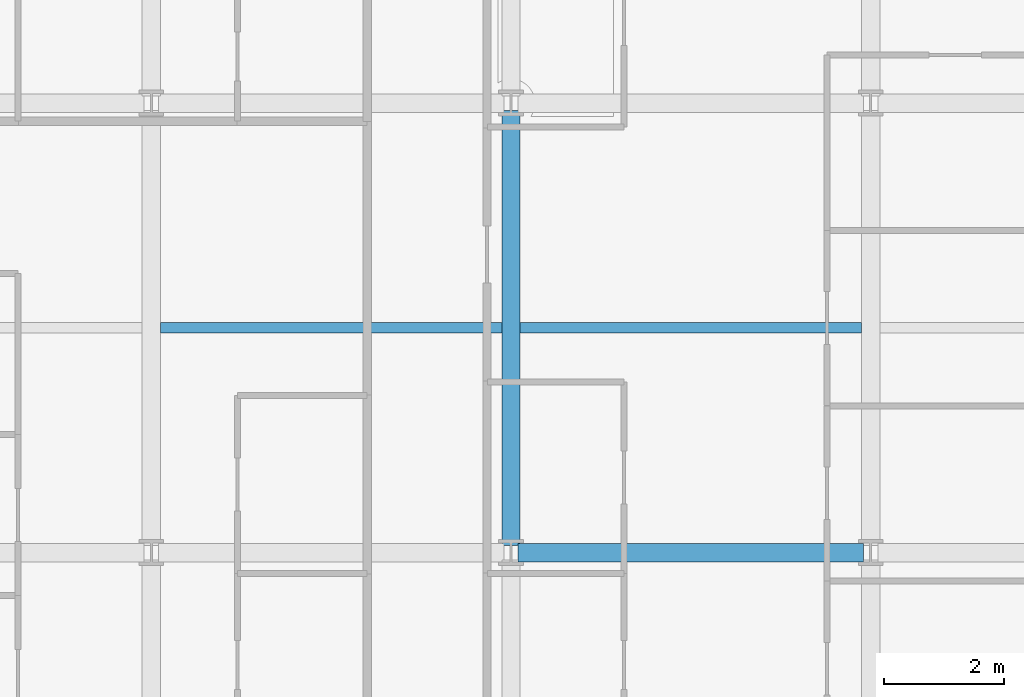
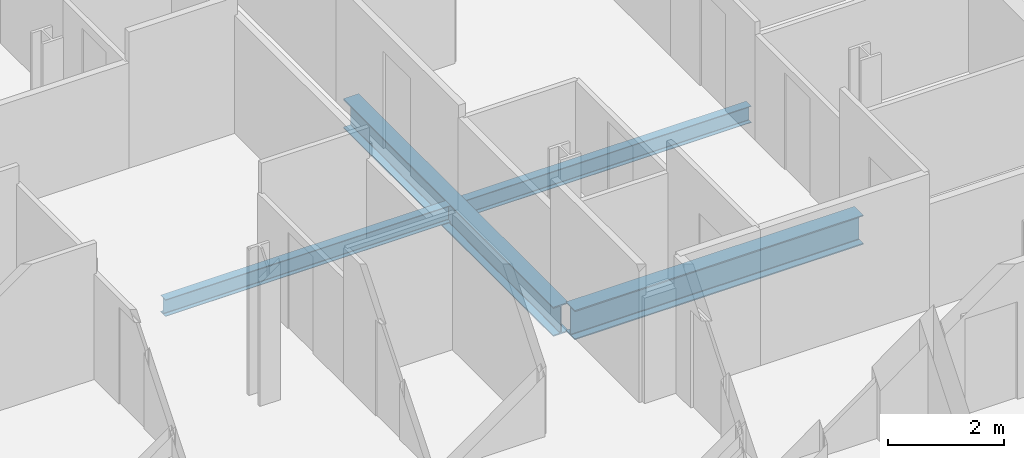
# One storey, part 6 of 41: 4 beams.
"""IFC4 building model written with IfcOpenShell, lengths in metres."""

from ifc_helpers import new_model, si_unit, direction, frame, origin, origin_2d, place, context, subcontext, project, spatial, i_section, extrude, material, material_profile, profile_set, type_object, element, save


model = new_model("IFC4")

# Units and contexts
model_context = context("Model", 3, precision=1e-05, world=origin(), true_north=direction((0.0, 1.0)))
body_context = subcontext(model_context, "Body", "Model", "MODEL_VIEW")
ifc_project = project(units=[si_unit("LENGTHUNIT", "METRE"), si_unit("AREAUNIT", "SQUARE_METRE"), si_unit("VOLUMEUNIT", "CUBIC_METRE"), si_unit("PLANEANGLEUNIT", "RADIAN"), si_unit("MASSUNIT", "GRAM", prefix="KILO")], contexts=[model_context])

# Site, building, storey
site_placement = place(None, origin())
site = spatial("IfcSite", under=ifc_project, at=site_placement, CompositionType="ELEMENT")
building_placement = place(site_placement, origin())
building = spatial("IfcBuilding", under=site, at=building_placement, Name="Brevholm Reach", CompositionType="ELEMENT")
storey_placement = place(building_placement, frame((0.0, 0.0, 74.5)))
storey = spatial("IfcBuildingStorey", under=building, at=storey_placement, Name="L21", CompositionType="ELEMENT", Elevation=74.5)

# Beams
ifc_material_1 = material(Name="Structural Steel S355J2", Category="steel")
ifc_material_profile_1 = material_profile(ifc_material_1, i_section(OverallWidth=0.17138671875, OverallDepth=0.35498046875, WebThickness=0.00732421875, FlangeThickness=0.011474609375, FilletRadius=0.01025390625, at=origin_2d()), Name="UKB 356x171x51")
ifc_profile_set_1 = profile_set([ifc_material_profile_1], Name="Structural Steel S355J2")
beam_type_1 = type_object("IfcBeamType", Name="BM-B356", PredefinedType="BEAM", material=ifc_profile_set_1)
for number, where, z_axis, x_axis, name in (
    (1, (6.153564453125, 19.75, -0.407470703125), (1.0, 0.0, 0.0), (0.0, 1.0, 0.0), "L21 Composite Secondary Floor Beam"),
    (2, (12.153564453125, 19.75, -0.407470703125), (1.0, 0.0, 0.0), (0.0, 1.0, 0.0), "L21 Composite Secondary Floor Beam"),
):
    element("IfcBeam", number, at=place(storey_placement, frame(where, z_axis=z_axis, x_axis=x_axis)), inside=storey, type_object=beam_type_1, Name=name, PredefinedType="BEAM", context=body_context, shape_type="SweptSolid", body=[
        extrude(i_section(OverallWidth=0.17138671875, OverallDepth=0.35498046875, WebThickness=0.00732421875, FlangeThickness=0.011474609375, FilletRadius=0.01025390625, at=origin_2d()), origin(), (0.0, 0.0, 1.0), 5.69287109375),
    ])
ifc_material_2 = material(Name="Structural Steel S355J2", Category="steel")
ifc_material_profile_2 = material_profile(ifc_material_2, i_section(OverallWidth=0.30712890625, OverallDepth=0.6201171875, WebThickness=0.01416015625, FlangeThickness=0.023681640625, FilletRadius=0.0166015625, at=origin_2d()), Name="UKB 610x305x179")
ifc_profile_set_2 = profile_set([ifc_material_profile_2], Name="Structural Steel S355J2")
beam_type_2 = type_object("IfcBeamType", Name="BM-UKB610H", PredefinedType="USERDEFINED", material=ifc_profile_set_2)
beam_1_placement = place(storey_placement, frame((12.1201171875, 16.0, -0.5400390625), z_axis=(1.0, 0.0, 0.0), x_axis=(0.0, 1.0, 0.0)))
element("IfcBeam", 3, at=beam_1_placement, inside=storey, type_object=beam_type_2, Name="L21 G-06 Framing Beam", ObjectType="GIRDER", PredefinedType="USERDEFINED", context=body_context, shape_type="SweptSolid", body=[
    extrude(i_section(OverallWidth=0.30712890625, OverallDepth=0.6201171875, WebThickness=0.01416015625, FlangeThickness=0.023681640625, FilletRadius=0.0166015625, at=origin_2d()), origin(), (0.0, 0.0, 1.0), 5.759765625),
])
beam_2_placement = place(storey_placement, frame((12.0, 16.1201171875, -0.5400390625), z_axis=(0.0, 1.0, 0.0), x_axis=(-1.0, 0.0, 0.0)))
element("IfcBeam", 4, at=beam_2_placement, inside=storey, type_object=beam_type_2, Name="L21 G-06 Framing Beam", ObjectType="GIRDER", PredefinedType="USERDEFINED", context=body_context, shape_type="SweptSolid", body=[
    extrude(i_section(OverallWidth=0.30712890625, OverallDepth=0.6201171875, WebThickness=0.01416015625, FlangeThickness=0.023681640625, FilletRadius=0.0166015625, at=origin_2d()), origin(), (0.0, 0.0, 1.0), 7.259765625),
])

save(model, "model.ifc")
